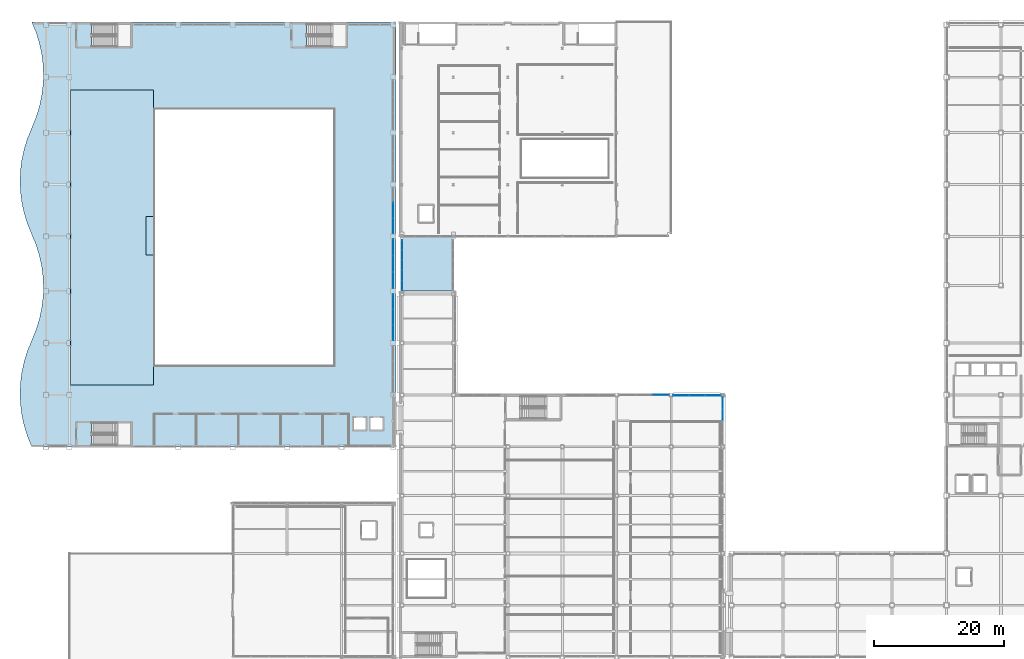
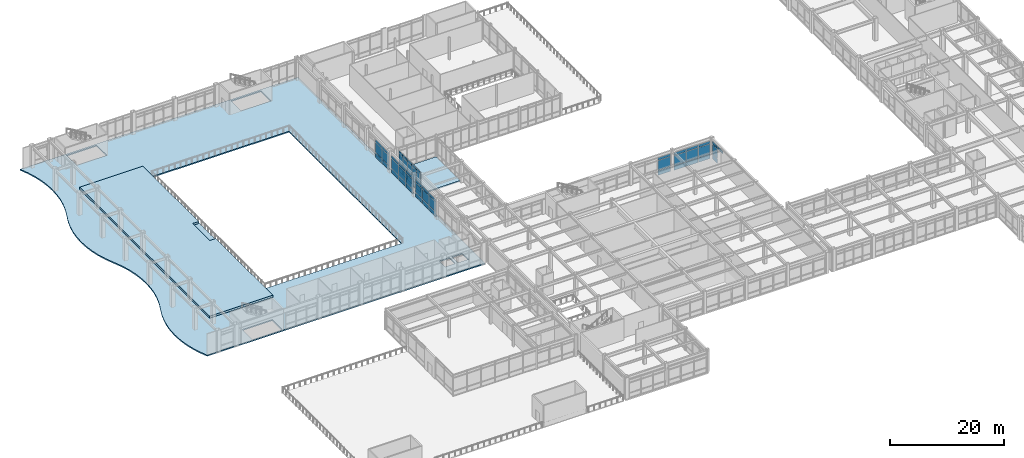
# One storey, part 120 of 154: 55 plates, 3 slabs, 7 elements without a shape of their own.
"""IFC4 building model written with IfcOpenShell, lengths in metres."""

from ifc_helpers import new_model, si_unit, direction, frame, origin, origin_2d, place, context, subcontext, project, spatial, polyline, rectangle, outline, extrude, material, layer, layer_set, type_object, element, aggregate, save


model = new_model("IFC4")

# Units and contexts
model_context = context("Model", 3, precision=1e-05, world=origin(), true_north=direction((0.0, 1.0)))
body_context = subcontext(model_context, "Body", "Model", "MODEL_VIEW")
ifc_project = project(units=[si_unit("LENGTHUNIT", "METRE"), si_unit("AREAUNIT", "SQUARE_METRE"), si_unit("VOLUMEUNIT", "CUBIC_METRE"), si_unit("PLANEANGLEUNIT", "RADIAN"), si_unit("MASSUNIT", "GRAM", prefix="KILO")], contexts=[model_context])

# Site, building, storey
site_placement = place(None, origin())
site = spatial("IfcSite", under=ifc_project, at=site_placement, CompositionType="ELEMENT")
building_placement = place(site_placement, origin())
building = spatial("IfcBuilding", under=site, at=building_placement, Name="Kazehara Bluff Congress Hotel", CompositionType="ELEMENT")
storey_placement = place(building_placement, frame((0.0, 0.0, 10.199951171875)))
storey = spatial("IfcBuildingStorey", under=building, at=storey_placement, Name="L02", CompositionType="ELEMENT", Elevation=10.199951171875)

# Curtain wall, plates
ifc_material_1 = material(Name="Anodised aluminium", Category="aluminium")
ifc_layer_1 = layer(ifc_material_1, 0.159912109375)
ifc_layer_set_1 = layer_set([ifc_layer_1], Name="Anodised aluminium")
curtain_wall_type_1 = type_object("IfcCurtainWallType", Name="TP-CW-23", PredefinedType="NOTDEFINED", material=ifc_layer_set_1)
curtain_wall_1_placement = place(storey_placement, origin())
curtain_wall_1 = element("IfcCurtainWall", 1, at=curtain_wall_1_placement, inside=storey, type_object=curtain_wall_type_1, Name="L02 curtain wall CW-23 CW-V1-L02-X5835-6485", PredefinedType="NOTDEFINED")
ifc_material_2 = material(Name="Insulated low-E double glazing", Category="glass")
ifc_layer_2 = layer(ifc_material_2, 0.028076171875)
ifc_layer_set_2 = layer_set([ifc_layer_2], Name="Insulated low-E double glazing")
plate_type_1 = type_object("IfcPlateType", Name="TP-CWP-01", PredefinedType="CURTAIN_PANEL", material=ifc_layer_set_2)
plate_1_placement = place(storey_placement, frame((58.35009765625, 66.066162109375, 0.06494140625), z_axis=(0.0, 0.0, 1.0), x_axis=(0.0, 1.0, 0.0)))
plate_1 = element("IfcPlate", 2, at=plate_1_placement, type_object=plate_type_1, Name="CW-23 panel 1.1", PredefinedType="CURTAIN_PANEL", context=body_context, shape_type="SweptSolid", body=[
    extrude(rectangle(XDim=2.302490234375, YDim=0.028076171875, at=origin_2d()), origin(), (0.0, 0.0, 1.0), 0.952392578125),
])
plate_2_placement = place(storey_placement, frame((58.35009765625, 66.066162109375, 1.08251953125), z_axis=(0.0, 0.0, 1.0), x_axis=(0.0, 1.0, 0.0)))
plate_2 = element("IfcPlate", 3, at=plate_2_placement, type_object=plate_type_1, Name="CW-23 panel 1.2", PredefinedType="CURTAIN_PANEL", context=body_context, shape_type="SweptSolid", body=[
    extrude(rectangle(XDim=2.302490234375, YDim=0.028076171875, at=origin_2d()), origin(), (0.0, 0.0, 1.0), 2.1201171875),
])
plate_3_placement = place(storey_placement, frame((58.35009765625, 66.066162109375, 3.267578125), z_axis=(0.0, 0.0, 1.0), x_axis=(0.0, 1.0, 0.0)))
plate_3 = element("IfcPlate", 4, at=plate_3_placement, type_object=plate_type_1, Name="CW-23 panel 1.3", PredefinedType="CURTAIN_PANEL", context=body_context, shape_type="SweptSolid", body=[
    extrude(rectangle(XDim=2.302490234375, YDim=0.028076171875, at=origin_2d()), origin(), (0.0, 0.0, 1.0), 0.552490234375),
])
plate_4_placement = place(storey_placement, frame((58.35009765625, 68.449951171875, 0.06494140625), z_axis=(0.0, 0.0, 1.0), x_axis=(0.0, 1.0, 0.0)))
plate_4 = element("IfcPlate", 5, at=plate_4_placement, type_object=plate_type_1, Name="CW-23 panel 2.1", PredefinedType="CURTAIN_PANEL", context=body_context, shape_type="SweptSolid", body=[
    extrude(rectangle(XDim=2.3349609375, YDim=0.028076171875, at=origin_2d()), origin(), (0.0, 0.0, 1.0), 0.952392578125),
])
plate_5_placement = place(storey_placement, frame((58.35009765625, 68.449951171875, 1.08251953125), z_axis=(0.0, 0.0, 1.0), x_axis=(0.0, 1.0, 0.0)))
plate_5 = element("IfcPlate", 6, at=plate_5_placement, type_object=plate_type_1, Name="CW-23 panel 2.2", PredefinedType="CURTAIN_PANEL", context=body_context, shape_type="SweptSolid", body=[
    extrude(rectangle(XDim=2.3349609375, YDim=0.028076171875, at=origin_2d()), origin(), (0.0, 0.0, 1.0), 2.1201171875),
])
plate_6_placement = place(storey_placement, frame((58.35009765625, 68.449951171875, 3.267578125), z_axis=(0.0, 0.0, 1.0), x_axis=(0.0, 1.0, 0.0)))
plate_6 = element("IfcPlate", 7, at=plate_6_placement, type_object=plate_type_1, Name="CW-23 panel 2.3", PredefinedType="CURTAIN_PANEL", context=body_context, shape_type="SweptSolid", body=[
    extrude(rectangle(XDim=2.3349609375, YDim=0.028076171875, at=origin_2d()), origin(), (0.0, 0.0, 1.0), 0.552490234375),
])
plate_7_placement = place(storey_placement, frame((58.35009765625, 70.833740234375, 0.06494140625), z_axis=(0.0, 0.0, 1.0), x_axis=(0.0, 1.0, 0.0)))
plate_7 = element("IfcPlate", 8, at=plate_7_placement, type_object=plate_type_1, Name="CW-23 panel 3.1", PredefinedType="CURTAIN_PANEL", context=body_context, shape_type="SweptSolid", body=[
    extrude(rectangle(XDim=2.302490234375, YDim=0.028076171875, at=origin_2d()), origin(), (0.0, 0.0, 1.0), 0.952392578125),
])
plate_8_placement = place(storey_placement, frame((58.35009765625, 70.833740234375, 1.08251953125), z_axis=(0.0, 0.0, 1.0), x_axis=(0.0, 1.0, 0.0)))
plate_8 = element("IfcPlate", 9, at=plate_8_placement, type_object=plate_type_1, Name="CW-23 panel 3.2", PredefinedType="CURTAIN_PANEL", context=body_context, shape_type="SweptSolid", body=[
    extrude(rectangle(XDim=2.302490234375, YDim=0.028076171875, at=origin_2d()), origin(), (0.0, 0.0, 1.0), 2.1201171875),
])
plate_9_placement = place(storey_placement, frame((58.35009765625, 70.833740234375, 3.267578125), z_axis=(0.0, 0.0, 1.0), x_axis=(0.0, 1.0, 0.0)))
plate_9 = element("IfcPlate", 10, at=plate_9_placement, type_object=plate_type_1, Name="CW-23 panel 3.3", PredefinedType="CURTAIN_PANEL", context=body_context, shape_type="SweptSolid", body=[
    extrude(rectangle(XDim=2.302490234375, YDim=0.028076171875, at=origin_2d()), origin(), (0.0, 0.0, 1.0), 0.552490234375),
])
aggregate(curtain_wall_1, [plate_1, plate_2, plate_3, plate_4, plate_5, plate_6, plate_7, plate_8, plate_9])

ifc_material_3 = material(Name="Anodised aluminium", Category="aluminium")
ifc_layer_3 = layer(ifc_material_3, 0.159912109375)
ifc_layer_set_3 = layer_set([ifc_layer_3], Name="Anodised aluminium")
curtain_wall_type_2 = type_object("IfcCurtainWallType", Name="TP-CW-22", PredefinedType="NOTDEFINED", material=ifc_layer_set_3)
curtain_wall_2_placement = place(storey_placement, origin())
curtain_wall_2 = element("IfcCurtainWall", 11, at=curtain_wall_2_placement, inside=storey, type_object=curtain_wall_type_2, Name="L02 curtain wall CW-22 CW-V1-L02-X5835-7285", PredefinedType="NOTDEFINED")
plate_10_placement = place(storey_placement, frame((58.35009765625, 74.141357421875, 0.06494140625), z_axis=(0.0, 0.0, 1.0), x_axis=(0.0, 1.0, 0.0)))
plate_10 = element("IfcPlate", 12, at=plate_10_placement, type_object=plate_type_1, Name="CW-22 panel 1.1", PredefinedType="CURTAIN_PANEL", context=body_context, shape_type="SweptSolid", body=[
    extrude(rectangle(XDim=2.452392578125, YDim=0.028076171875, at=origin_2d()), origin(), (0.0, 0.0, 1.0), 0.952392578125),
])
plate_11_placement = place(storey_placement, frame((58.35009765625, 74.141357421875, 1.08251953125), z_axis=(0.0, 0.0, 1.0), x_axis=(0.0, 1.0, 0.0)))
plate_11 = element("IfcPlate", 13, at=plate_11_placement, type_object=plate_type_1, Name="CW-22 panel 1.2", PredefinedType="CURTAIN_PANEL", context=body_context, shape_type="SweptSolid", body=[
    extrude(rectangle(XDim=2.452392578125, YDim=0.028076171875, at=origin_2d()), origin(), (0.0, 0.0, 1.0), 2.1201171875),
])
plate_12_placement = place(storey_placement, frame((58.35009765625, 74.141357421875, 3.267578125), z_axis=(0.0, 0.0, 1.0), x_axis=(0.0, 1.0, 0.0)))
plate_12 = element("IfcPlate", 14, at=plate_12_placement, type_object=plate_type_1, Name="CW-22 panel 1.3", PredefinedType="CURTAIN_PANEL", context=body_context, shape_type="SweptSolid", body=[
    extrude(rectangle(XDim=2.452392578125, YDim=0.028076171875, at=origin_2d()), origin(), (0.0, 0.0, 1.0), 0.552490234375),
])
plate_13_placement = place(storey_placement, frame((58.35009765625, 76.675048828125, 0.06494140625), z_axis=(0.0, 0.0, 1.0), x_axis=(0.0, 1.0, 0.0)))
plate_13 = element("IfcPlate", 15, at=plate_13_placement, type_object=plate_type_1, Name="CW-22 panel 2.1", PredefinedType="CURTAIN_PANEL", context=body_context, shape_type="SweptSolid", body=[
    extrude(rectangle(XDim=2.485107421875, YDim=0.028076171875, at=origin_2d()), origin(), (0.0, 0.0, 1.0), 0.952392578125),
])
plate_14_placement = place(storey_placement, frame((58.35009765625, 76.675048828125, 1.08251953125), z_axis=(0.0, 0.0, 1.0), x_axis=(0.0, 1.0, 0.0)))
plate_14 = element("IfcPlate", 16, at=plate_14_placement, type_object=plate_type_1, Name="CW-22 panel 2.2", PredefinedType="CURTAIN_PANEL", context=body_context, shape_type="SweptSolid", body=[
    extrude(rectangle(XDim=2.485107421875, YDim=0.028076171875, at=origin_2d()), origin(), (0.0, 0.0, 1.0), 2.1201171875),
])
plate_15_placement = place(storey_placement, frame((58.35009765625, 76.675048828125, 3.267578125), z_axis=(0.0, 0.0, 1.0), x_axis=(0.0, 1.0, 0.0)))
plate_15 = element("IfcPlate", 17, at=plate_15_placement, type_object=plate_type_1, Name="CW-22 panel 2.3", PredefinedType="CURTAIN_PANEL", context=body_context, shape_type="SweptSolid", body=[
    extrude(rectangle(XDim=2.485107421875, YDim=0.028076171875, at=origin_2d()), origin(), (0.0, 0.0, 1.0), 0.552490234375),
])
plate_16_placement = place(storey_placement, frame((58.35009765625, 79.208740234375, 0.06494140625), z_axis=(0.0, 0.0, 1.0), x_axis=(0.0, 1.0, 0.0)))
plate_16 = element("IfcPlate", 18, at=plate_16_placement, type_object=plate_type_1, Name="CW-22 panel 3.1", PredefinedType="CURTAIN_PANEL", context=body_context, shape_type="SweptSolid", body=[
    extrude(rectangle(XDim=2.452392578125, YDim=0.028076171875, at=origin_2d()), origin(), (0.0, 0.0, 1.0), 0.952392578125),
])
plate_17_placement = place(storey_placement, frame((58.35009765625, 79.208740234375, 1.08251953125), z_axis=(0.0, 0.0, 1.0), x_axis=(0.0, 1.0, 0.0)))
plate_17 = element("IfcPlate", 19, at=plate_17_placement, type_object=plate_type_1, Name="CW-22 panel 3.2", PredefinedType="CURTAIN_PANEL", context=body_context, shape_type="SweptSolid", body=[
    extrude(rectangle(XDim=2.452392578125, YDim=0.028076171875, at=origin_2d()), origin(), (0.0, 0.0, 1.0), 2.1201171875),
])
plate_18_placement = place(storey_placement, frame((58.35009765625, 79.208740234375, 3.267578125), z_axis=(0.0, 0.0, 1.0), x_axis=(0.0, 1.0, 0.0)))
plate_18 = element("IfcPlate", 20, at=plate_18_placement, type_object=plate_type_1, Name="CW-22 panel 3.3", PredefinedType="CURTAIN_PANEL", context=body_context, shape_type="SweptSolid", body=[
    extrude(rectangle(XDim=2.452392578125, YDim=0.028076171875, at=origin_2d()), origin(), (0.0, 0.0, 1.0), 0.552490234375),
])
aggregate(curtain_wall_2, [plate_10, plate_11, plate_12, plate_13, plate_14, plate_15, plate_16, plate_17, plate_18])

curtain_wall_3_placement = place(storey_placement, origin())
curtain_wall_3 = element("IfcCurtainWall", 21, at=curtain_wall_3_placement, inside=storey, type_object=curtain_wall_type_1, Name="L02 curtain wall CW-23 CW-V1-L02-X5835-8130", PredefinedType="NOTDEFINED")
plate_19_placement = place(storey_placement, frame((58.35009765625, 82.516357421875, 0.06494140625), z_axis=(0.0, 0.0, 1.0), x_axis=(0.0, 1.0, 0.0)))
plate_19 = element("IfcPlate", 22, at=plate_19_placement, type_object=plate_type_1, Name="CW-23 panel 1.1", PredefinedType="CURTAIN_PANEL", context=body_context, shape_type="SweptSolid", body=[
    extrude(rectangle(XDim=2.302490234375, YDim=0.028076171875, at=origin_2d()), origin(), (0.0, 0.0, 1.0), 0.952392578125),
])
plate_20_placement = place(storey_placement, frame((58.35009765625, 82.516357421875, 1.08251953125), z_axis=(0.0, 0.0, 1.0), x_axis=(0.0, 1.0, 0.0)))
plate_20 = element("IfcPlate", 23, at=plate_20_placement, type_object=plate_type_1, Name="CW-23 panel 1.2", PredefinedType="CURTAIN_PANEL", context=body_context, shape_type="SweptSolid", body=[
    extrude(rectangle(XDim=2.302490234375, YDim=0.028076171875, at=origin_2d()), origin(), (0.0, 0.0, 1.0), 2.1201171875),
])
plate_21_placement = place(storey_placement, frame((58.35009765625, 82.516357421875, 3.267578125), z_axis=(0.0, 0.0, 1.0), x_axis=(0.0, 1.0, 0.0)))
plate_21 = element("IfcPlate", 24, at=plate_21_placement, type_object=plate_type_1, Name="CW-23 panel 1.3", PredefinedType="CURTAIN_PANEL", context=body_context, shape_type="SweptSolid", body=[
    extrude(rectangle(XDim=2.302490234375, YDim=0.028076171875, at=origin_2d()), origin(), (0.0, 0.0, 1.0), 0.552490234375),
])
plate_22_placement = place(storey_placement, frame((58.35009765625, 84.89990234375, 0.06494140625), z_axis=(0.0, 0.0, 1.0), x_axis=(0.0, 1.0, 0.0)))
plate_22 = element("IfcPlate", 25, at=plate_22_placement, type_object=plate_type_1, Name="CW-23 panel 2.1", PredefinedType="CURTAIN_PANEL", context=body_context, shape_type="SweptSolid", body=[
    extrude(rectangle(XDim=2.3349609375, YDim=0.028076171875, at=origin_2d()), origin(), (0.0, 0.0, 1.0), 0.952392578125),
])
plate_23_placement = place(storey_placement, frame((58.35009765625, 84.89990234375, 1.08251953125), z_axis=(0.0, 0.0, 1.0), x_axis=(0.0, 1.0, 0.0)))
plate_23 = element("IfcPlate", 26, at=plate_23_placement, type_object=plate_type_1, Name="CW-23 panel 2.2", PredefinedType="CURTAIN_PANEL", context=body_context, shape_type="SweptSolid", body=[
    extrude(rectangle(XDim=2.3349609375, YDim=0.028076171875, at=origin_2d()), origin(), (0.0, 0.0, 1.0), 2.1201171875),
])
plate_24_placement = place(storey_placement, frame((58.35009765625, 84.89990234375, 3.267578125), z_axis=(0.0, 0.0, 1.0), x_axis=(0.0, 1.0, 0.0)))
plate_24 = element("IfcPlate", 27, at=plate_24_placement, type_object=plate_type_1, Name="CW-23 panel 2.3", PredefinedType="CURTAIN_PANEL", context=body_context, shape_type="SweptSolid", body=[
    extrude(rectangle(XDim=2.3349609375, YDim=0.028076171875, at=origin_2d()), origin(), (0.0, 0.0, 1.0), 0.552490234375),
])
aggregate(curtain_wall_3, [plate_19, plate_20, plate_21, plate_22, plate_23, plate_24])

ifc_material_4 = material(Name="Anodised aluminium", Category="aluminium")
ifc_layer_4 = layer(ifc_material_4, 0.159912109375)
ifc_layer_set_4 = layer_set([ifc_layer_4], Name="Anodised aluminium")
curtain_wall_type_3 = type_object("IfcCurtainWallType", Name="TP-CW-60", PredefinedType="NOTDEFINED", material=ifc_layer_set_4)
curtain_wall_4_placement = place(storey_placement, origin())
curtain_wall_4 = element("IfcCurtainWall", 28, at=curtain_wall_4_placement, inside=storey, type_object=curtain_wall_type_3, Name="L02 curtain wall CW-60 CW-V4-L02-X10920-4872", PredefinedType="NOTDEFINED")
plate_25_placement = place(storey_placement, frame((109.199951171875, 53.38134765625, 3.267578125), z_axis=(0.0, 0.0, 1.0), x_axis=(0.0, 1.0, 0.0)))
plate_25 = element("IfcPlate", 29, at=plate_25_placement, type_object=plate_type_1, Name="CW-60 panel 3.3", PredefinedType="CURTAIN_PANEL", context=body_context, shape_type="SweptSolid", body=[
    extrude(rectangle(XDim=1.797607421875, YDim=0.028076171875, at=origin_2d()), origin(), (0.0, 0.0, 1.0), 0.552490234375),
])
plate_26_placement = place(storey_placement, frame((109.199951171875, 55.2275390625, 0.06494140625), z_axis=(0.0, 0.0, 1.0), x_axis=(0.0, 1.0, 0.0)))
plate_26 = element("IfcPlate", 30, at=plate_26_placement, type_object=plate_type_1, Name="CW-60 panel 4.1", PredefinedType="CURTAIN_PANEL", context=body_context, shape_type="SweptSolid", body=[
    extrude(rectangle(XDim=1.764892578125, YDim=0.028076171875, at=origin_2d()), origin(), (0.0, 0.0, 1.0), 0.952392578125),
])
plate_27_placement = place(storey_placement, frame((109.199951171875, 55.2275390625, 1.08251953125), z_axis=(0.0, 0.0, 1.0), x_axis=(0.0, 1.0, 0.0)))
plate_27 = element("IfcPlate", 31, at=plate_27_placement, type_object=plate_type_1, Name="CW-60 panel 4.2", PredefinedType="CURTAIN_PANEL", context=body_context, shape_type="SweptSolid", body=[
    extrude(rectangle(XDim=1.764892578125, YDim=0.028076171875, at=origin_2d()), origin(), (0.0, 0.0, 1.0), 2.1201171875),
])
plate_28_placement = place(storey_placement, frame((109.199951171875, 55.2275390625, 3.267578125), z_axis=(0.0, 0.0, 1.0), x_axis=(0.0, 1.0, 0.0)))
plate_28 = element("IfcPlate", 32, at=plate_28_placement, type_object=plate_type_1, Name="CW-60 panel 4.3", PredefinedType="CURTAIN_PANEL", context=body_context, shape_type="SweptSolid", body=[
    extrude(rectangle(XDim=1.764892578125, YDim=0.028076171875, at=origin_2d()), origin(), (0.0, 0.0, 1.0), 0.552490234375),
])
aggregate(curtain_wall_4, [plate_25, plate_26, plate_27, plate_28])

ifc_material_5 = material(Name="Anodised aluminium", Category="aluminium")
ifc_layer_5 = layer(ifc_material_5, 0.159912109375)
ifc_layer_set_5 = layer_set([ifc_layer_5], Name="Anodised aluminium")
curtain_wall_type_4 = type_object("IfcCurtainWallType", Name="TP-CW-74", PredefinedType="NOTDEFINED", material=ifc_layer_set_5)
curtain_wall_5_placement = place(storey_placement, origin())
curtain_wall_5 = element("IfcCurtainWall", 33, at=curtain_wall_5_placement, inside=storey, type_object=curtain_wall_type_4, Name="L02 curtain wall CW-74 CW-V4-L02-Y5645-9312", PredefinedType="NOTDEFINED")
plate_29_placement = place(storey_placement, frame((99.650390625, 56.449951171875, 0.06494140625), z_axis=(0.0, 0.0, 1.0), x_axis=(1.0, 0.0, 0.0)))
plate_29 = element("IfcPlate", 34, at=plate_29_placement, type_object=plate_type_1, Name="CW-74 panel 3.1", PredefinedType="CURTAIN_PANEL", context=body_context, shape_type="SweptSolid", body=[
    extrude(rectangle(XDim=2.519287109375, YDim=0.028076171875, at=origin_2d()), origin(), (0.0, 0.0, 1.0), 0.952392578125),
])
plate_30_placement = place(storey_placement, frame((99.650390625, 56.449951171875, 1.08251953125), z_axis=(0.0, 0.0, 1.0), x_axis=(1.0, 0.0, 0.0)))
plate_30 = element("IfcPlate", 35, at=plate_30_placement, type_object=plate_type_1, Name="CW-74 panel 3.2", PredefinedType="CURTAIN_PANEL", context=body_context, shape_type="SweptSolid", body=[
    extrude(rectangle(XDim=2.519287109375, YDim=0.028076171875, at=origin_2d()), origin(), (0.0, 0.0, 1.0), 2.1201171875),
])
plate_31_placement = place(storey_placement, frame((99.650390625, 56.449951171875, 3.267578125), z_axis=(0.0, 0.0, 1.0), x_axis=(1.0, 0.0, 0.0)))
plate_31 = element("IfcPlate", 36, at=plate_31_placement, type_object=plate_type_1, Name="CW-74 panel 3.3", PredefinedType="CURTAIN_PANEL", context=body_context, shape_type="SweptSolid", body=[
    extrude(rectangle(XDim=2.519287109375, YDim=0.028076171875, at=origin_2d()), origin(), (0.0, 0.0, 1.0), 0.552490234375),
])
aggregate(curtain_wall_5, [plate_29, plate_30, plate_31])

ifc_material_6 = material(Name="Anodised aluminium", Category="aluminium")
ifc_layer_6 = layer(ifc_material_6, 0.159912109375)
ifc_layer_set_6 = layer_set([ifc_layer_6], Name="Anodised aluminium")
curtain_wall_type_5 = type_object("IfcCurtainWallType", Name="TP-CW-34", PredefinedType="NOTDEFINED", material=ifc_layer_set_6)
curtain_wall_6_placement = place(storey_placement, origin())
curtain_wall_6 = element("IfcCurtainWall", 37, at=curtain_wall_6_placement, inside=storey, type_object=curtain_wall_type_5, Name="L02 curtain wall CW-34 CW-ENC-V4-L02-10522-5635", PredefinedType="NOTDEFINED")
plate_32_placement = place(storey_placement, frame((102.774658203125, 56.35009765625, 0.06494140625), z_axis=(0.0, 0.0, 1.0), x_axis=(1.0, 0.0, 0.0)))
plate_32 = element("IfcPlate", 38, at=plate_32_placement, type_object=plate_type_1, Name="CW-34 panel 1.1", PredefinedType="CURTAIN_PANEL", context=body_context, shape_type="SweptSolid", body=[
    extrude(rectangle(XDim=2.369140625, YDim=0.028076171875, at=origin_2d()), origin(), (0.0, 0.0, 1.0), 0.952392578125),
])
plate_33_placement = place(storey_placement, frame((102.774658203125, 56.35009765625, 1.08251953125), z_axis=(0.0, 0.0, 1.0), x_axis=(1.0, 0.0, 0.0)))
plate_33 = element("IfcPlate", 39, at=plate_33_placement, type_object=plate_type_1, Name="CW-34 panel 1.2", PredefinedType="CURTAIN_PANEL", context=body_context, shape_type="SweptSolid", body=[
    extrude(rectangle(XDim=2.369140625, YDim=0.028076171875, at=origin_2d()), origin(), (0.0, 0.0, 1.0), 2.1201171875),
])
plate_34_placement = place(storey_placement, frame((102.774658203125, 56.35009765625, 3.267578125), z_axis=(0.0, 0.0, 1.0), x_axis=(1.0, 0.0, 0.0)))
plate_34 = element("IfcPlate", 40, at=plate_34_placement, type_object=plate_type_1, Name="CW-34 panel 1.3", PredefinedType="CURTAIN_PANEL", context=body_context, shape_type="SweptSolid", body=[
    extrude(rectangle(XDim=2.369140625, YDim=0.028076171875, at=origin_2d()), origin(), (0.0, 0.0, 1.0), 0.552490234375),
])
plate_35_placement = place(storey_placement, frame((105.22509765625, 56.35009765625, 0.06494140625), z_axis=(0.0, 0.0, 1.0), x_axis=(1.0, 0.0, 0.0)))
plate_35 = element("IfcPlate", 41, at=plate_35_placement, type_object=plate_type_1, Name="CW-34 panel 2.1", PredefinedType="CURTAIN_PANEL", context=body_context, shape_type="SweptSolid", body=[
    extrude(rectangle(XDim=2.401611328125, YDim=0.028076171875, at=origin_2d()), origin(), (0.0, 0.0, 1.0), 0.952392578125),
])
plate_36_placement = place(storey_placement, frame((105.22509765625, 56.35009765625, 1.08251953125), z_axis=(0.0, 0.0, 1.0), x_axis=(1.0, 0.0, 0.0)))
plate_36 = element("IfcPlate", 42, at=plate_36_placement, type_object=plate_type_1, Name="CW-34 panel 2.2", PredefinedType="CURTAIN_PANEL", context=body_context, shape_type="SweptSolid", body=[
    extrude(rectangle(XDim=2.401611328125, YDim=0.028076171875, at=origin_2d()), origin(), (0.0, 0.0, 1.0), 2.1201171875),
])
plate_37_placement = place(storey_placement, frame((105.22509765625, 56.35009765625, 3.267578125), z_axis=(0.0, 0.0, 1.0), x_axis=(1.0, 0.0, 0.0)))
plate_37 = element("IfcPlate", 43, at=plate_37_placement, type_object=plate_type_1, Name="CW-34 panel 2.3", PredefinedType="CURTAIN_PANEL", context=body_context, shape_type="SweptSolid", body=[
    extrude(rectangle(XDim=2.401611328125, YDim=0.028076171875, at=origin_2d()), origin(), (0.0, 0.0, 1.0), 0.552490234375),
])
plate_38_placement = place(storey_placement, frame((107.675537109375, 56.35009765625, 0.06494140625), z_axis=(0.0, 0.0, 1.0), x_axis=(1.0, 0.0, 0.0)))
plate_38 = element("IfcPlate", 44, at=plate_38_placement, type_object=plate_type_1, Name="CW-34 panel 3.1", PredefinedType="CURTAIN_PANEL", context=body_context, shape_type="SweptSolid", body=[
    extrude(rectangle(XDim=2.369140625, YDim=0.028076171875, at=origin_2d()), origin(), (0.0, 0.0, 1.0), 0.952392578125),
])
plate_39_placement = place(storey_placement, frame((107.675537109375, 56.35009765625, 1.08251953125), z_axis=(0.0, 0.0, 1.0), x_axis=(1.0, 0.0, 0.0)))
plate_39 = element("IfcPlate", 45, at=plate_39_placement, type_object=plate_type_1, Name="CW-34 panel 3.2", PredefinedType="CURTAIN_PANEL", context=body_context, shape_type="SweptSolid", body=[
    extrude(rectangle(XDim=2.369140625, YDim=0.028076171875, at=origin_2d()), origin(), (0.0, 0.0, 1.0), 2.1201171875),
])
plate_40_placement = place(storey_placement, frame((107.675537109375, 56.35009765625, 3.267578125), z_axis=(0.0, 0.0, 1.0), x_axis=(1.0, 0.0, 0.0)))
plate_40 = element("IfcPlate", 46, at=plate_40_placement, type_object=plate_type_1, Name="CW-34 panel 3.3", PredefinedType="CURTAIN_PANEL", context=body_context, shape_type="SweptSolid", body=[
    extrude(rectangle(XDim=2.369140625, YDim=0.028076171875, at=origin_2d()), origin(), (0.0, 0.0, 1.0), 0.552490234375),
])
aggregate(curtain_wall_6, [plate_32, plate_33, plate_34, plate_35, plate_36, plate_37, plate_38, plate_39, plate_40])

ifc_material_7 = material(Name="Anodised aluminium", Category="aluminium")
ifc_layer_7 = layer(ifc_material_7, 0.159912109375)
ifc_layer_set_7 = layer_set([ifc_layer_7], Name="Anodised aluminium")
curtain_wall_type_6 = type_object("IfcCurtainWallType", Name="TP-CW-03", PredefinedType="NOTDEFINED", material=ifc_layer_set_7)
curtain_wall_7_placement = place(storey_placement, origin())
curtain_wall_7 = element("IfcCurtainWall", 47, at=curtain_wall_7_placement, inside=storey, type_object=curtain_wall_type_6, Name="L02 curtain wall CW-03 CW-BRG-34-L02-A", PredefinedType="NOTDEFINED")
ifc_material_8 = material(Name="Insulated low-E double glazing", Category="glass")
ifc_layer_8 = layer(ifc_material_8, 0.031982421875)
ifc_layer_set_8 = layer_set([ifc_layer_8], Name="Insulated low-E double glazing")
plate_type_2 = type_object("IfcPlateType", Name="TP-CWP-02", PredefinedType="CURTAIN_PANEL", material=ifc_layer_set_8)
plate_41_placement = place(storey_placement, frame((59.75, 73.347412109375, 0.06494140625), z_axis=(0.0, 0.0, 1.0), x_axis=(0.0, 1.0, 0.0)))
plate_41 = element("IfcPlate", 48, at=plate_41_placement, type_object=plate_type_2, Name="CW-03 panel 1.1", PredefinedType="CURTAIN_PANEL", context=body_context, shape_type="SweptSolid", body=[
    extrude(rectangle(XDim=1.455078125, YDim=0.031982421875, at=origin_2d()), origin(), (0.0, 0.0, 1.0), 0.952392578125),
])
plate_42_placement = place(storey_placement, frame((59.75, 73.347412109375, 1.08251953125), z_axis=(0.0, 0.0, 1.0), x_axis=(0.0, 1.0, 0.0)))
plate_42 = element("IfcPlate", 49, at=plate_42_placement, type_object=plate_type_2, Name="CW-03 panel 1.2", PredefinedType="CURTAIN_PANEL", context=body_context, shape_type="SweptSolid", body=[
    extrude(rectangle(XDim=1.455078125, YDim=0.031982421875, at=origin_2d()), origin(), (0.0, 0.0, 1.0), 2.780029296875),
])
plate_43_placement = place(storey_placement, frame((59.75, 73.347412109375, 3.927734375), z_axis=(0.0, 0.0, 1.0), x_axis=(0.0, 1.0, 0.0)))
plate_43 = element("IfcPlate", 50, at=plate_43_placement, type_object=plate_type_2, Name="CW-03 panel 1.3", PredefinedType="CURTAIN_PANEL", context=body_context, shape_type="SweptSolid", body=[
    extrude(rectangle(XDim=1.455078125, YDim=0.031982421875, at=origin_2d()), origin(), (0.0, 0.0, 1.0), 0.552490234375),
])
plate_44_placement = place(storey_placement, frame((59.75, 74.889892578125, 0.06494140625), z_axis=(0.0, 0.0, 1.0), x_axis=(0.0, 1.0, 0.0)))
plate_44 = element("IfcPlate", 51, at=plate_44_placement, type_object=plate_type_2, Name="CW-03 panel 2.1", PredefinedType="CURTAIN_PANEL", context=body_context, shape_type="SweptSolid", body=[
    extrude(rectangle(XDim=1.489990234375, YDim=0.031982421875, at=origin_2d()), origin(), (0.0, 0.0, 1.0), 0.952392578125),
])
plate_45_placement = place(storey_placement, frame((59.75, 74.889892578125, 1.08251953125), z_axis=(0.0, 0.0, 1.0), x_axis=(0.0, 1.0, 0.0)))
plate_45 = element("IfcPlate", 52, at=plate_45_placement, type_object=plate_type_2, Name="CW-03 panel 2.2", PredefinedType="CURTAIN_PANEL", context=body_context, shape_type="SweptSolid", body=[
    extrude(rectangle(XDim=1.489990234375, YDim=0.031982421875, at=origin_2d()), origin(), (0.0, 0.0, 1.0), 2.780029296875),
])
plate_46_placement = place(storey_placement, frame((59.75, 74.889892578125, 3.927734375), z_axis=(0.0, 0.0, 1.0), x_axis=(0.0, 1.0, 0.0)))
plate_46 = element("IfcPlate", 53, at=plate_46_placement, type_object=plate_type_2, Name="CW-03 panel 2.3", PredefinedType="CURTAIN_PANEL", context=body_context, shape_type="SweptSolid", body=[
    extrude(rectangle(XDim=1.489990234375, YDim=0.031982421875, at=origin_2d()), origin(), (0.0, 0.0, 1.0), 0.552490234375),
])
plate_47_placement = place(storey_placement, frame((59.75, 76.449951171875, 0.06494140625), z_axis=(0.0, 0.0, 1.0), x_axis=(0.0, 1.0, 0.0)))
plate_47 = element("IfcPlate", 54, at=plate_47_placement, type_object=plate_type_2, Name="CW-03 panel 3.1", PredefinedType="CURTAIN_PANEL", context=body_context, shape_type="SweptSolid", body=[
    extrude(rectangle(XDim=1.489990234375, YDim=0.031982421875, at=origin_2d()), origin(), (0.0, 0.0, 1.0), 0.952392578125),
])
plate_48_placement = place(storey_placement, frame((59.75, 76.449951171875, 1.08251953125), z_axis=(0.0, 0.0, 1.0), x_axis=(0.0, 1.0, 0.0)))
plate_48 = element("IfcPlate", 55, at=plate_48_placement, type_object=plate_type_2, Name="CW-03 panel 3.2", PredefinedType="CURTAIN_PANEL", context=body_context, shape_type="SweptSolid", body=[
    extrude(rectangle(XDim=1.489990234375, YDim=0.031982421875, at=origin_2d()), origin(), (0.0, 0.0, 1.0), 2.780029296875),
])
plate_49_placement = place(storey_placement, frame((59.75, 76.449951171875, 3.927734375), z_axis=(0.0, 0.0, 1.0), x_axis=(0.0, 1.0, 0.0)))
plate_49 = element("IfcPlate", 56, at=plate_49_placement, type_object=plate_type_2, Name="CW-03 panel 3.3", PredefinedType="CURTAIN_PANEL", context=body_context, shape_type="SweptSolid", body=[
    extrude(rectangle(XDim=1.489990234375, YDim=0.031982421875, at=origin_2d()), origin(), (0.0, 0.0, 1.0), 0.552490234375),
])
plate_50_placement = place(storey_placement, frame((59.75, 78.010009765625, 0.06494140625), z_axis=(0.0, 0.0, 1.0), x_axis=(0.0, 1.0, 0.0)))
plate_50 = element("IfcPlate", 57, at=plate_50_placement, type_object=plate_type_2, Name="CW-03 panel 4.1", PredefinedType="CURTAIN_PANEL", context=body_context, shape_type="SweptSolid", body=[
    extrude(rectangle(XDim=1.489990234375, YDim=0.031982421875, at=origin_2d()), origin(), (0.0, 0.0, 1.0), 0.952392578125),
])
plate_51_placement = place(storey_placement, frame((59.75, 78.010009765625, 1.08251953125), z_axis=(0.0, 0.0, 1.0), x_axis=(0.0, 1.0, 0.0)))
plate_51 = element("IfcPlate", 58, at=plate_51_placement, type_object=plate_type_2, Name="CW-03 panel 4.2", PredefinedType="CURTAIN_PANEL", context=body_context, shape_type="SweptSolid", body=[
    extrude(rectangle(XDim=1.489990234375, YDim=0.031982421875, at=origin_2d()), origin(), (0.0, 0.0, 1.0), 2.780029296875),
])
plate_52_placement = place(storey_placement, frame((59.75, 78.010009765625, 3.927734375), z_axis=(0.0, 0.0, 1.0), x_axis=(0.0, 1.0, 0.0)))
plate_52 = element("IfcPlate", 59, at=plate_52_placement, type_object=plate_type_2, Name="CW-03 panel 4.3", PredefinedType="CURTAIN_PANEL", context=body_context, shape_type="SweptSolid", body=[
    extrude(rectangle(XDim=1.489990234375, YDim=0.031982421875, at=origin_2d()), origin(), (0.0, 0.0, 1.0), 0.552490234375),
])
plate_53_placement = place(storey_placement, frame((59.75, 79.552490234375, 0.06494140625), z_axis=(0.0, 0.0, 1.0), x_axis=(0.0, 1.0, 0.0)))
plate_53 = element("IfcPlate", 60, at=plate_53_placement, type_object=plate_type_2, Name="CW-03 panel 5.1", PredefinedType="CURTAIN_PANEL", context=body_context, shape_type="SweptSolid", body=[
    extrude(rectangle(XDim=1.455078125, YDim=0.031982421875, at=origin_2d()), origin(), (0.0, 0.0, 1.0), 0.952392578125),
])
plate_54_placement = place(storey_placement, frame((59.75, 79.552490234375, 1.08251953125), z_axis=(0.0, 0.0, 1.0), x_axis=(0.0, 1.0, 0.0)))
plate_54 = element("IfcPlate", 61, at=plate_54_placement, type_object=plate_type_2, Name="CW-03 panel 5.2", PredefinedType="CURTAIN_PANEL", context=body_context, shape_type="SweptSolid", body=[
    extrude(rectangle(XDim=1.455078125, YDim=0.031982421875, at=origin_2d()), origin(), (0.0, 0.0, 1.0), 2.780029296875),
])
plate_55_placement = place(storey_placement, frame((59.75, 79.552490234375, 3.927734375), z_axis=(0.0, 0.0, 1.0), x_axis=(0.0, 1.0, 0.0)))
plate_55 = element("IfcPlate", 62, at=plate_55_placement, type_object=plate_type_2, Name="CW-03 panel 5.3", PredefinedType="CURTAIN_PANEL", context=body_context, shape_type="SweptSolid", body=[
    extrude(rectangle(XDim=1.455078125, YDim=0.031982421875, at=origin_2d()), origin(), (0.0, 0.0, 1.0), 0.552490234375),
])
aggregate(curtain_wall_7, [plate_41, plate_42, plate_43, plate_44, plate_45, plate_46, plate_47, plate_48, plate_49, plate_50, plate_51, plate_52, plate_53, plate_54, plate_55])

# Slabs
ifc_material_9 = material(Name="Concrete C36/45", Category="concrete")
ifc_layer_9 = layer(ifc_material_9, 0.25)
ifc_layer_set_9 = layer_set([ifc_layer_9], Name="Concrete C36/45")
slab_type_1 = type_object("IfcSlabType", Name="TP-SL-250", PredefinedType="FLOOR", material=ifc_layer_set_9)
slab_1_placement = place(storey_placement, frame((0.0, 0.0, -0.25)))
element("IfcSlab", 63, at=slab_1_placement, inside=storey, type_object=slab_type_1, Name="L02 V1 composite floor slab", PredefinedType="FLOOR", context=body_context, shape_type="SweptSolid", body=[
    extrude(outline(polyline([(58.800048828125, 48.449951171875), (58.800048828125, 114.0), (2.60009765625, 114.0), (3.27001953125, 112.360107421875), (3.77490234375, 110.719970703125), (4.1298828125, 109.0849609375), (4.3349609375, 107.445068359375), (4.405029296875, 105.804931640625), (4.3349609375, 104.1650390625), (4.1298828125, 102.530029296875), (3.77490234375, 100.889892578125), (3.27001953125, 99.25), (2.60009765625, 97.610107421875), (1.929931640625, 95.97509765625), (1.425048828125, 94.3349609375), (1.070068359375, 92.695068359375), (0.864990234375, 91.06005859375), (0.794921875, 89.419921875), (0.864990234375, 87.780029296875), (1.070068359375, 86.139892578125), (1.425048828125, 84.5), (1.929931640625, 82.864990234375), (2.60009765625, 81.22509765625), (3.27001953125, 79.5849609375), (3.77490234375, 77.949951171875), (4.1298828125, 76.31005859375), (4.3349609375, 74.669921875), (4.405029296875, 73.030029296875), (4.3349609375, 71.389892578125), (4.1298828125, 69.7548828125), (3.77490234375, 68.114990234375), (3.27001953125, 66.47509765625), (2.60009765625, 64.840087890625), (1.929931640625, 63.199951171875), (1.425048828125, 61.56005859375), (1.070068359375, 59.919921875), (0.864990234375, 58.280029296875), (0.794921875, 56.64501953125), (0.864990234375, 55.0048828125), (1.070068359375, 53.364990234375), (1.425048828125, 51.72998046875), (1.929931640625, 50.090087890625), (2.60009765625, 48.449951171875), (58.800048828125, 48.449951171875)]), holes=[polyline([(11.824951171875, 110.14990234375), (17.89990234375, 110.14990234375), (17.89990234375, 113.64990234375), (11.824951171875, 113.64990234375), (11.824951171875, 110.14990234375)]), polyline([(45.02490234375, 110.14990234375), (51.10009765625, 110.14990234375), (51.10009765625, 113.64990234375), (45.02490234375, 113.64990234375), (45.02490234375, 110.14990234375)]), polyline([(11.824951171875, 48.64990234375), (17.89990234375, 48.64990234375), (17.89990234375, 52.14990234375), (11.824951171875, 52.14990234375), (11.824951171875, 48.64990234375)]), polyline([(52.14990234375, 50.949951171875), (54.25, 50.949951171875), (54.25, 53.050048828125), (52.14990234375, 53.050048828125), (52.14990234375, 50.949951171875)]), polyline([(54.75, 50.949951171875), (56.85009765625, 50.949951171875), (56.85009765625, 53.050048828125), (54.75, 53.050048828125), (54.75, 50.949951171875)]), polyline([(21.60009765625, 61.0), (49.199951171875, 61.0), (49.199951171875, 100.5), (21.60009765625, 100.5), (21.60009765625, 61.0)])]), origin(), (0.0, 0.0, 1.0), 0.25),
])
slab_2_placement = place(storey_placement, frame((0.0, 0.0, -0.25)))
element("IfcSlab", 64, at=slab_2_placement, inside=storey, type_object=slab_type_1, Name="Seismic-joint bridge deck BRG-34 L02", PredefinedType="FLOOR", context=body_context, shape_type="SweptSolid", body=[
    extrude(outline(polyline([(59.699951171875, 72.4599609375), (67.64990234375, 72.4599609375), (67.64990234375, 80.489990234375), (67.550048828125, 80.889892578125), (59.699951171875, 80.889892578125), (59.699951171875, 72.4599609375)])), origin(), (0.0, 0.0, 1.0), 0.25),
])
ifc_material_10 = material(Name="Precast concrete C40/50", Category="concrete")
ifc_layer_10 = layer(ifc_material_10, 0.449951171875)
ifc_layer_set_10 = layer_set([ifc_layer_10], Name="Precast concrete C40/50")
slab_type_2 = type_object("IfcSlabType", Name="TP-SL-TIER", PredefinedType="FLOOR", material=ifc_layer_set_10)
slab_3_placement = place(storey_placement, origin())
element("IfcSlab", 65, at=slab_3_placement, inside=storey, type_object=slab_type_2, Name="Congress Hall seating tier slab 4", PredefinedType="FLOOR", context=body_context, shape_type="SweptSolid", body=[
    extrude(outline(polyline([(8.60009765625, 58.0), (21.39990234375, 58.0), (21.39990234375, 78.0), (20.199951171875, 78.0), (20.199951171875, 84.0), (21.39990234375, 84.0), (21.39990234375, 103.5), (8.60009765625, 103.5), (8.60009765625, 58.0)])), origin(), (0.0, 0.0, 1.0), 0.449951171875),
])

save(model, "model.ifc")
